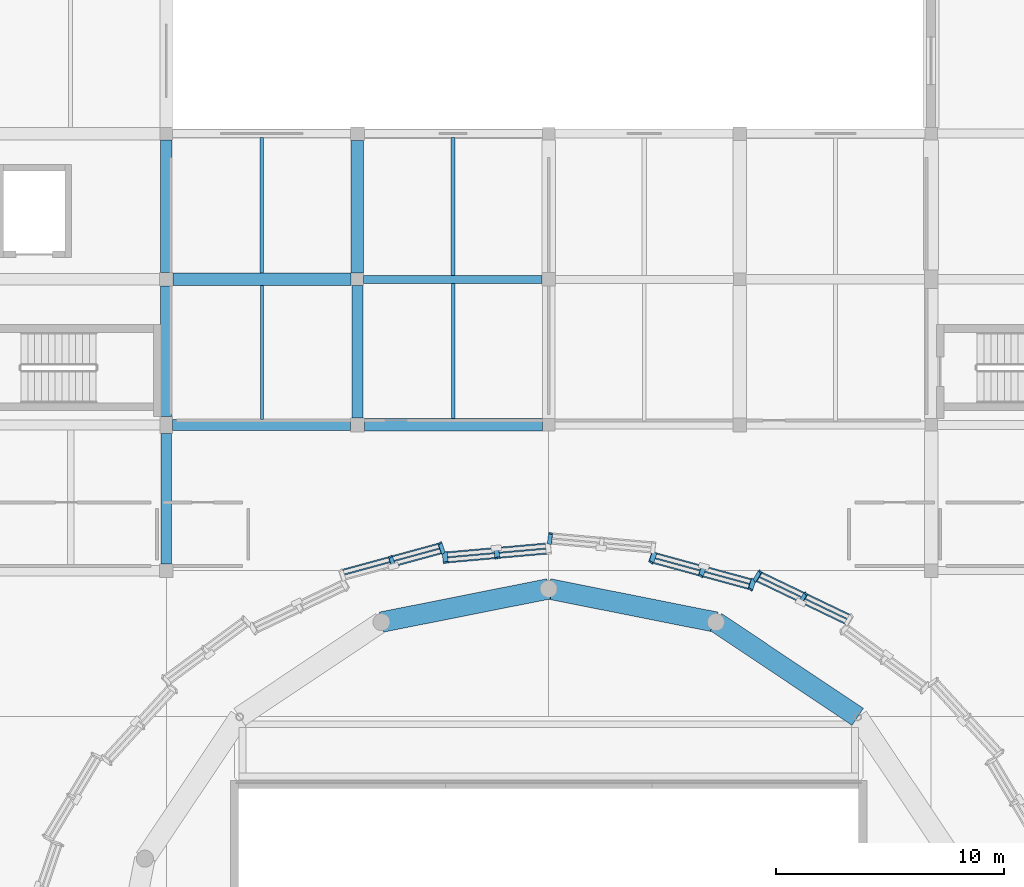
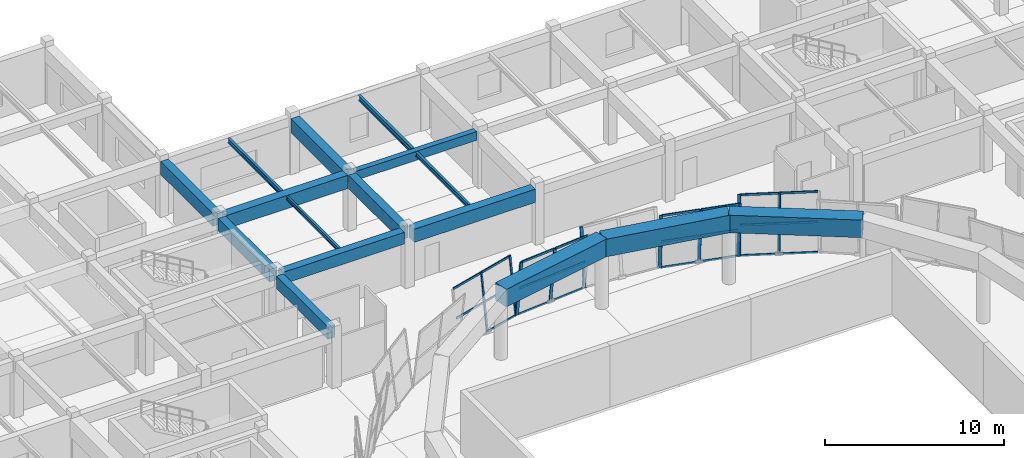
# One storey, part 16 of 40: 33 members, 16 beams, 5 elements without a shape of their own.
"""IFC4 building model written with IfcOpenShell, lengths in metres."""

from ifc_helpers import new_model, si_unit, direction, frame, origin, origin_2d, place, context, subcontext, project, spatial, rectangle, hollow_rectangle, i_section, extrude, material, material_profile, profile_set, type_object, element, aggregate, save


model = new_model("IFC4")

# Units and contexts
model_context = context("Model", 3, precision=1e-05, world=origin(), true_north=direction((0.0, 1.0)))
body_context = subcontext(model_context, "Body", "Model", "MODEL_VIEW")
ifc_project = project(units=[si_unit("LENGTHUNIT", "METRE"), si_unit("AREAUNIT", "SQUARE_METRE"), si_unit("VOLUMEUNIT", "CUBIC_METRE"), si_unit("PLANEANGLEUNIT", "RADIAN"), si_unit("MASSUNIT", "GRAM", prefix="KILO")], contexts=[model_context])

# Site, building, storey
site_placement = place(None, origin())
site = spatial("IfcSite", under=ifc_project, at=site_placement, CompositionType="ELEMENT")
building_placement = place(site_placement, origin())
building = spatial("IfcBuilding", under=site, at=building_placement, Name="Korsvaeld Concert Hall", CompositionType="ELEMENT")
storey_placement = place(building_placement, frame((0.0, 0.0, 13.199951171875)))
storey = spatial("IfcBuildingStorey", under=building, at=storey_placement, Name="L03", CompositionType="ELEMENT", Elevation=13.199951171875)

# Beams
ifc_material_1 = material(Name="Concrete C35/45", Category="concrete")
ifc_material_profile_1 = material_profile(ifc_material_1, rectangle(XDim=0.35009765625, YDim=0.60009765625, at=origin_2d()), Name="RC 350x600")
ifc_profile_set_1 = profile_set([ifc_material_profile_1], Name="Concrete C35/45")
beam_type_1 = type_object("IfcBeamType", Name="BM-RC-350x600", PredefinedType="T_BEAM", material=ifc_profile_set_1)
beam_1_placement = place(storey_placement, frame((75.875, 96.0, 3.5400390625), z_axis=(1.0, 0.0, 0.0), x_axis=(0.0, 1.0, 0.0)))
element("IfcBeam", 1, at=beam_1_placement, inside=storey, type_object=beam_type_1, Name="Primary girder 11-12/P L03", PredefinedType="T_BEAM", context=body_context, shape_type="SweptSolid", body=[
    extrude(rectangle(XDim=0.35009765625, YDim=0.60009765625, at=origin_2d()), origin(), (0.0, 0.0, 1.0), 7.824951171875),
])
ifc_material_2 = material(Name="Concrete C40/50", Category="concrete")
ifc_material_profile_2 = material_profile(ifc_material_2, rectangle(XDim=0.449951171875, YDim=0.85009765625, at=origin_2d()), Name="RC 450x850")
ifc_profile_set_2 = profile_set([ifc_material_profile_2], Name="Concrete C40/50")
beam_type_2 = type_object("IfcBeamType", Name="BM-RC-450x850", PredefinedType="T_BEAM", material=ifc_profile_set_2)
beam_2_placement = place(storey_placement, frame((67.199951171875, 83.5, 3.4150390625), z_axis=(0.0, 1.0, 0.0), x_axis=(-1.0, 0.0, 0.0)))
element("IfcBeam", 2, at=beam_2_placement, inside=storey, type_object=beam_type_2, Name="Primary girder 10/M-N L03", PredefinedType="T_BEAM", context=body_context, shape_type="SweptSolid", body=[
    extrude(rectangle(XDim=0.449951171875, YDim=0.85009765625, at=origin_2d()), origin(), (0.0, 0.0, 1.0), 5.72509765625),
])
ifc_material_profile_3 = material_profile(ifc_material_2, rectangle(XDim=0.5, YDim=0.800048828125, at=origin_2d()), Name="RC 500x800")
ifc_profile_set_3 = profile_set([ifc_material_profile_3], Name="Concrete C40/50")
beam_type_3 = type_object("IfcBeamType", Name="BM-RC-500x800", PredefinedType="T_BEAM", material=ifc_profile_set_3)
beam_3_placement = place(storey_placement, frame((67.47509765625, 89.60009765625, 3.43994140625), z_axis=(1.0, 0.0, 0.0), x_axis=(0.0, 1.0, 0.0)))
element("IfcBeam", 3, at=beam_3_placement, inside=storey, type_object=beam_type_3, Name="Primary girder 10-11/N L03", PredefinedType="T_BEAM", context=body_context, shape_type="SweptSolid", body=[
    extrude(rectangle(XDim=0.5, YDim=0.800048828125, at=origin_2d()), origin(), (0.0, 0.0, 1.0), 7.824951171875),
])
ifc_material_profile_4 = material_profile(ifc_material_2, rectangle(XDim=0.5, YDim=0.85009765625, at=origin_2d()), Name="RC 500x850")
ifc_profile_set_4 = profile_set([ifc_material_profile_4], Name="Concrete C40/50")
beam_type_4 = type_object("IfcBeamType", Name="BM-RC-500x850", PredefinedType="T_BEAM", material=ifc_profile_set_4)
beam_4_placement = place(storey_placement, frame((67.199951171875, 89.97509765625, 3.4150390625), z_axis=(0.0, 1.0, 0.0), x_axis=(-1.0, 0.0, 0.0)))
element("IfcBeam", 4, at=beam_4_placement, inside=storey, type_object=beam_type_4, Name="Primary girder 10/N-P L03", PredefinedType="T_BEAM", context=body_context, shape_type="SweptSolid", body=[
    extrude(rectangle(XDim=0.5, YDim=0.85009765625, at=origin_2d()), origin(), (0.0, 0.0, 1.0), 5.724853515625),
])
ifc_material_profile_5 = material_profile(ifc_material_2, rectangle(XDim=0.5, YDim=0.89990234375, at=origin_2d()), Name="RC 500x900")
ifc_profile_set_5 = profile_set([ifc_material_profile_5], Name="Concrete C40/50")
beam_type_5 = type_object("IfcBeamType", Name="BM-RC-500x900", PredefinedType="T_BEAM", material=ifc_profile_set_5)
beam_5_placement = place(storey_placement, frame((67.199951171875, 96.300048828125, 3.39013671875), z_axis=(0.0, 1.0, 0.0), x_axis=(-1.0, 0.0, 0.0)))
element("IfcBeam", 5, at=beam_5_placement, inside=storey, type_object=beam_type_5, Name="Primary girder 10/P-Q L03", PredefinedType="T_BEAM", context=body_context, shape_type="SweptSolid", body=[
    extrude(rectangle(XDim=0.5, YDim=0.89990234375, at=origin_2d()), origin(), (0.0, 0.0, 1.0), 5.824951171875),
])
beam_6_placement = place(storey_placement, frame((75.60009765625, 89.89990234375, 3.39013671875), z_axis=(0.0, 1.0, 0.0), x_axis=(-1.0, 0.0, 0.0)))
element("IfcBeam", 6, at=beam_6_placement, inside=storey, type_object=beam_type_5, Name="Primary girder 11/N-P L03", PredefinedType="T_BEAM", context=body_context, shape_type="SweptSolid", body=[
    extrude(rectangle(XDim=0.5, YDim=0.89990234375, at=origin_2d()), origin(), (0.0, 0.0, 1.0), 5.8251953125),
])
ifc_material_profile_6 = material_profile(ifc_material_2, rectangle(XDim=0.550048828125, YDim=0.89990234375, at=origin_2d()), Name="RC 550x900")
ifc_profile_set_6 = profile_set([ifc_material_profile_6], Name="Concrete C40/50")
beam_type_6 = type_object("IfcBeamType", Name="BM-RC-550x900", PredefinedType="T_BEAM", material=ifc_profile_set_6)
beam_7_placement = place(storey_placement, frame((75.89990234375, 89.60009765625, 3.39013671875), z_axis=(1.0, 0.0, 0.0), x_axis=(0.0, 1.0, 0.0)))
element("IfcBeam", 7, at=beam_7_placement, inside=storey, type_object=beam_type_6, Name="Primary girder 11-12/N L03", PredefinedType="T_BEAM", context=body_context, shape_type="SweptSolid", body=[
    extrude(rectangle(XDim=0.550048828125, YDim=0.89990234375, at=origin_2d()), origin(), (0.0, 0.0, 1.0), 7.8251953125),
])
beam_8_placement = place(storey_placement, frame((67.5, 96.0, 3.39013671875), z_axis=(1.0, 0.0, 0.0), x_axis=(0.0, 1.0, 0.0)))
element("IfcBeam", 8, at=beam_8_placement, inside=storey, type_object=beam_type_6, Name="Primary girder 10-11/P L03", PredefinedType="T_BEAM", context=body_context, shape_type="SweptSolid", body=[
    extrude(rectangle(XDim=0.550048828125, YDim=0.89990234375, at=origin_2d()), origin(), (0.0, 0.0, 1.0), 7.824951171875),
])
ifc_material_profile_7 = material_profile(ifc_material_2, rectangle(XDim=0.550048828125, YDim=0.949951171875, at=origin_2d()), Name="RC 550x950")
ifc_profile_set_7 = profile_set([ifc_material_profile_7], Name="Concrete C40/50")
beam_type_7 = type_object("IfcBeamType", Name="BM-RC-550x950", PredefinedType="T_BEAM", material=ifc_profile_set_7)
beam_9_placement = place(storey_placement, frame((75.60009765625, 96.27490234375, 3.364990234375), z_axis=(0.0, 1.0, 0.0), x_axis=(-1.0, 0.0, 0.0)))
element("IfcBeam", 9, at=beam_9_placement, inside=storey, type_object=beam_type_7, Name="Primary girder 11/P-Q L03", PredefinedType="T_BEAM", context=body_context, shape_type="SweptSolid", body=[
    extrude(rectangle(XDim=0.550048828125, YDim=0.949951171875, at=origin_2d()), origin(), (0.0, 0.0, 1.0), 5.8251953125),
])
ifc_material_profile_8 = material_profile(ifc_material_2, rectangle(XDim=0.89990234375, YDim=1.199951171875, at=origin_2d()), Name="RC 900x1200")
ifc_profile_set_8 = profile_set([ifc_material_profile_8], Name="Concrete C40/50")
beam_type_8 = type_object("IfcBeamType", Name="BM-RING-RC900x1200", PredefinedType="USERDEFINED", material=ifc_profile_set_8)
for number, where, z_axis, x_axis, name in (
    (10, (97.576416015625, 76.776611328125, 4.199951171875), (-0.831483307961, 0.555549735471, 0.0), (-0.555549735471, -0.831483307961, 0.0), "Main Hall C40/50 drum ring beam segment 03"),
    (11, (91.347412109375, 80.9384765625, 4.199951171875), (-0.980786949659, 0.195081929911, 0.0), (-0.195081929911, -0.980786949659, 0.0), "Main Hall C40/50 drum ring beam segment 04"),
    (12, (84.0, 82.39990234375, 4.199951171875), (-0.980786949659, -0.195081929911, 0.0), (0.195081929911, -0.980786949659, 0.0), "Main Hall C40/50 drum ring beam segment 05"),
):
    element("IfcBeam", number, at=place(storey_placement, frame(where, z_axis=z_axis, x_axis=x_axis)), inside=storey, type_object=beam_type_8, Name=name, ObjectType="RING BEAM", PredefinedType="USERDEFINED", context=body_context, shape_type="SweptSolid", body=[
        extrude(rectangle(XDim=0.89990234375, YDim=1.199951171875, at=origin_2d()), origin(), (0.0, 0.0, 1.0), 7.491455078125),
    ])
ifc_material_3 = material(Name="Steel S355J2", Category="steel")
ifc_material_profile_9 = material_profile(ifc_material_3, i_section(OverallWidth=0.135009765625, OverallDepth=0.27001953125, WebThickness=0.006591796875, FlangeThickness=0.01025390625, FilletRadius=0.014892578125, at=origin_2d()), Name="IPE 270")
ifc_profile_set_9 = profile_set([ifc_material_profile_9], Name="Steel S355J2")
beam_type_9 = type_object("IfcBeamType", Name="BM-STL-IPE270", PredefinedType="JOIST", material=ifc_profile_set_9)
beam_10_placement = place(storey_placement, frame((71.39990234375, 89.85009765625, 3.705078125), z_axis=(0.0, 1.0, 0.0), x_axis=(-1.0, 0.0, 0.0)))
element("IfcBeam", 13, at=beam_10_placement, inside=storey, type_object=beam_type_9, Name="Secondary steel floor beam 10-11/N L03", PredefinedType="JOIST", context=body_context, shape_type="SweptSolid", body=[
    extrude(i_section(OverallWidth=0.135009765625, OverallDepth=0.27001953125, WebThickness=0.006591796875, FlangeThickness=0.01025390625, FilletRadius=0.014892578125, at=origin_2d()), origin(), (0.0, 0.0, 1.0), 5.875),
])
ifc_material_profile_10 = material_profile(ifc_material_3, i_section(OverallWidth=0.14990234375, OverallDepth=0.300048828125, WebThickness=0.007080078125, FlangeThickness=0.0107421875, FilletRadius=0.014892578125, at=origin_2d()), Name="IPE 300")
ifc_profile_set_10 = profile_set([ifc_material_profile_10], Name="Steel S355J2")
beam_type_10 = type_object("IfcBeamType", Name="BM-STL-IPE300", PredefinedType="JOIST", material=ifc_profile_set_10)
beam_11_placement = place(storey_placement, frame((79.800048828125, 89.875, 3.68994140625), z_axis=(0.0, 1.0, 0.0), x_axis=(-1.0, 0.0, 0.0)))
element("IfcBeam", 14, at=beam_11_placement, inside=storey, type_object=beam_type_10, Name="Secondary steel floor beam 11-12/N L03", PredefinedType="JOIST", context=body_context, shape_type="SweptSolid", body=[
    extrude(i_section(OverallWidth=0.14990234375, OverallDepth=0.300048828125, WebThickness=0.007080078125, FlangeThickness=0.0107421875, FilletRadius=0.014892578125, at=origin_2d()), origin(), (0.0, 0.0, 1.0), 5.949951171875),
])
ifc_material_profile_11 = material_profile(ifc_material_3, i_section(OverallWidth=0.159912109375, OverallDepth=0.330078125, WebThickness=0.007568359375, FlangeThickness=0.011474609375, FilletRadius=0.01806640625, at=origin_2d()), Name="IPE 330")
ifc_profile_set_11 = profile_set([ifc_material_profile_11], Name="Steel S355J2")
beam_type_11 = type_object("IfcBeamType", Name="BM-STL-IPE330", PredefinedType="BEAM", material=ifc_profile_set_11)
beam_12_placement = place(storey_placement, frame((71.39990234375, 96.27490234375, 3.675048828125), z_axis=(0.0, 1.0, 0.0), x_axis=(-1.0, 0.0, 0.0)))
element("IfcBeam", 15, at=beam_12_placement, inside=storey, type_object=beam_type_11, Name="Secondary steel floor beam 10-11/P L03", PredefinedType="BEAM", context=body_context, shape_type="SweptSolid", body=[
    extrude(i_section(OverallWidth=0.159912109375, OverallDepth=0.330078125, WebThickness=0.007568359375, FlangeThickness=0.011474609375, FilletRadius=0.01806640625, at=origin_2d()), origin(), (0.0, 0.0, 1.0), 5.9501953125),
])
ifc_material_profile_12 = material_profile(ifc_material_3, i_section(OverallWidth=0.169921875, OverallDepth=0.360107421875, WebThickness=0.008056640625, FlangeThickness=0.0126953125, FilletRadius=0.01806640625, at=origin_2d()), Name="IPE 360")
ifc_profile_set_12 = profile_set([ifc_material_profile_12], Name="Steel S355J2")
beam_type_12 = type_object("IfcBeamType", Name="BM-STL-IPE360", PredefinedType="BEAM", material=ifc_profile_set_12)
beam_13_placement = place(storey_placement, frame((79.800048828125, 96.175048828125, 3.66015625), z_axis=(0.0, 1.0, 0.0), x_axis=(-1.0, 0.0, 0.0)))
element("IfcBeam", 16, at=beam_13_placement, inside=storey, type_object=beam_type_12, Name="Secondary steel floor beam 11-12/P L03", PredefinedType="BEAM", context=body_context, shape_type="SweptSolid", body=[
    extrude(i_section(OverallWidth=0.169921875, OverallDepth=0.360107421875, WebThickness=0.008056640625, FlangeThickness=0.0126953125, FilletRadius=0.01806640625, at=origin_2d()), origin(), (0.0, 0.0, 1.0), 6.050048828125),
])

# Curtain wall, members
ifc_material_4 = material(Name="Anodised bronze and ceramic-fritted safety glass", Category="glass")
curtain_wall_type_1 = type_object("IfcCurtainWallType", Name="CW-TYPE-06", PredefinedType="USERDEFINED", material=ifc_material_4)
curtain_wall_1_placement = place(storey_placement, origin())
curtain_wall_1 = element("IfcCurtainWall", 17, at=curtain_wall_1_placement, inside=storey, type_object=curtain_wall_type_1, Name="Crystal curtain-wall facet L03 F06", ObjectType="CURTAIN WALL", PredefinedType="USERDEFINED")
ifc_material_5 = material(Name="Anodised architectural bronze aluminium", Category="aluminium")
ifc_material_profile_13 = material_profile(ifc_material_5, hollow_rectangle(XDim=0.074951171875, YDim=0.179931640625, WallThickness=0.0048828125, at=origin_2d()), Name="CWM 180x75x5")
ifc_profile_set_13 = profile_set([ifc_material_profile_13], Name="Anodised architectural bronze aluminium")
member_type_1 = type_object("IfcMemberType", Name="CWM-BRONZE-180x75", PredefinedType="MULLION", material=ifc_profile_set_13)
member_1_placement = place(storey_placement, frame((95.0712890625, 81.806640625, 0.0), z_axis=(0.057890146021, 0.097275450549, 0.993572452172), x_axis=(0.829999508119, 0.548349795161, -0.102045669527)))
member_1 = element("IfcMember", 18, at=member_1_placement, type_object=member_type_1, Name="CW-CRYS-L03-F06 crystal mullion 2", PredefinedType="MULLION", context=body_context, shape_type="SweptSolid", body=[
    extrude(hollow_rectangle(XDim=0.074951171875, YDim=0.179931640625, WallThickness=0.0048828125, at=origin_2d()), origin(), (0.0, 0.0, 1.0), 3.9052734375),
])
member_2_placement = place(storey_placement, frame((93.065185546875, 82.77001953125, 0.0), z_axis=(0.057890146021, 0.097275450549, 0.993572452172), x_axis=(0.829999508119, 0.548349795161, -0.102045669527)))
member_2 = element("IfcMember", 19, at=member_2_placement, type_object=member_type_1, Name="CW-CRYS-L03-F06 crystal mullion 3", PredefinedType="MULLION", context=body_context, shape_type="SweptSolid", body=[
    extrude(hollow_rectangle(XDim=0.074951171875, YDim=0.179931640625, WallThickness=0.0048828125, at=origin_2d()), origin(), (0.0, 0.0, 1.0), 3.9052734375),
])

# Curtain wall, member
curtain_wall_type_2 = type_object("IfcCurtainWallType", Name="CW-TYPE-08", PredefinedType="USERDEFINED", material=ifc_material_4)
curtain_wall_2_placement = place(storey_placement, origin())
curtain_wall_2 = element("IfcCurtainWall", 20, at=curtain_wall_2_placement, inside=storey, type_object=curtain_wall_type_2, Name="Crystal curtain-wall facet L03 F08", ObjectType="CURTAIN WALL", PredefinedType="USERDEFINED")
member_3_placement = place(storey_placement, frame((84.037353515625, 84.396728515625, 0.0), z_axis=(0.012315717468, 0.112529398189, 0.993572069679), x_axis=(0.195293528918, 0.974240961692, -0.112760747263)))
member_3 = element("IfcMember", 21, at=member_3_placement, type_object=member_type_1, Name="CW-CRYS-L03-F08 crystal mullion 3", PredefinedType="MULLION", context=body_context, shape_type="SweptSolid", body=[
    extrude(hollow_rectangle(XDim=0.074951171875, YDim=0.179931640625, WallThickness=0.0048828125, at=origin_2d()), origin(), (0.0, 0.0, 1.0), 3.9052734375),
])
aggregate(curtain_wall_2, [member_3])

# Curtain wall, members
curtain_wall_type_3 = type_object("IfcCurtainWallType", Name="CW-TYPE-02", PredefinedType="USERDEFINED", material=ifc_material_4)
curtain_wall_3_placement = place(storey_placement, origin())
curtain_wall_3 = element("IfcCurtainWall", 22, at=curtain_wall_3_placement, inside=storey, type_object=curtain_wall_type_3, Name="Crystal curtain-wall facet L03 F10", ObjectType="CURTAIN WALL", PredefinedType="USERDEFINED")
member_4_placement = place(storey_placement, frame((79.359619140625, 83.982666015625, 0.0), z_axis=(-0.036196879459, 0.10727779819, 0.993569957242), x_axis=(-0.555586354062, 0.824251855726, -0.109236813907)))
member_4 = element("IfcMember", 23, at=member_4_placement, type_object=member_type_1, Name="CW-CRYS-L03-F10 crystal mullion 1", PredefinedType="MULLION", context=body_context, shape_type="SweptSolid", body=[
    extrude(hollow_rectangle(XDim=0.074951171875, YDim=0.179931640625, WallThickness=0.0048828125, at=origin_2d()), origin(), (0.0, 0.0, 1.0), 3.9052734375),
])
member_5_placement = place(storey_placement, frame((77.182373046875, 83.389404296875, 0.0), z_axis=(-0.036259313537, 0.107277555223, 0.993567706967), x_axis=(-0.556016744677, 0.823959061851, -0.109255864975)))
member_5 = element("IfcMember", 24, at=member_5_placement, type_object=member_type_1, Name="CW-CRYS-L03-F10 crystal mullion 2", PredefinedType="MULLION", context=body_context, shape_type="SweptSolid", body=[
    extrude(hollow_rectangle(XDim=0.074951171875, YDim=0.179931640625, WallThickness=0.0048828125, at=origin_2d()), origin(), (0.0, 0.0, 1.0), 3.9052734375),
])

curtain_wall_type_4 = type_object("IfcCurtainWallType", Name="CW-TYPE-07", PredefinedType="USERDEFINED", material=ifc_material_4)
curtain_wall_4_placement = place(storey_placement, origin())
curtain_wall_4 = element("IfcCurtainWall", 25, at=curtain_wall_4_placement, inside=storey, type_object=curtain_wall_type_4, Name="Crystal curtain-wall facet L03 F07", ObjectType="CURTAIN WALL", PredefinedType="USERDEFINED")
ifc_material_profile_14 = material_profile(ifc_material_5, hollow_rectangle(XDim=0.074951171875, YDim=0.219970703125, WallThickness=0.006103515625, at=origin_2d()), Name="CWM 220x75x6")
ifc_profile_set_14 = profile_set([ifc_material_profile_14], Name="Anodised architectural bronze aluminium")
member_type_2 = type_object("IfcMemberType", Name="CWM-BRONZE-220x75", PredefinedType="MULLION", material=ifc_profile_set_14)
member_6_placement = place(storey_placement, frame((92.9951171875, 82.796142578125, 0.0), z_axis=(-0.036196879459, -0.10727779819, 0.993569957242), x_axis=(-0.555586354062, -0.824251855726, -0.109236813907)))
member_6 = element("IfcMember", 26, at=member_6_placement, type_object=member_type_2, Name="CW-CRYS-L03-F07 crystal mullion 1", PredefinedType="MULLION", context=body_context, shape_type="SweptSolid", body=[
    extrude(hollow_rectangle(XDim=0.074951171875, YDim=0.219970703125, WallThickness=0.006103515625, at=origin_2d()), origin(), (0.0, 0.0, 1.0), 3.9052734375),
])
member_7_placement = place(storey_placement, frame((90.817626953125, 83.389404296875, 0.0), z_axis=(-0.036196879459, -0.10727779819, 0.993569957242), x_axis=(-0.555586354062, -0.824251855726, -0.109236813907)))
member_7 = element("IfcMember", 27, at=member_7_placement, type_object=member_type_2, Name="CW-CRYS-L03-F07 crystal mullion 2", PredefinedType="MULLION", context=body_context, shape_type="SweptSolid", body=[
    extrude(hollow_rectangle(XDim=0.074951171875, YDim=0.219970703125, WallThickness=0.006103515625, at=origin_2d()), origin(), (0.0, 0.0, 1.0), 3.9052734375),
])
member_8_placement = place(storey_placement, frame((88.640380859375, 83.982666015625, 0.0), z_axis=(-0.036259556644, -0.107215758008, 0.993574368523), x_axis=(-0.556164524447, -0.823866797591, -0.109199457752)))
member_8 = element("IfcMember", 28, at=member_8_placement, type_object=member_type_2, Name="CW-CRYS-L03-F07 crystal mullion 3", PredefinedType="MULLION", context=body_context, shape_type="SweptSolid", body=[
    extrude(hollow_rectangle(XDim=0.074951171875, YDim=0.219970703125, WallThickness=0.006103515625, at=origin_2d()), origin(), (0.0, 0.0, 1.0), 3.9052734375),
])

curtain_wall_type_5 = type_object("IfcCurtainWallType", Name="CW-TYPE-01", PredefinedType="USERDEFINED", material=ifc_material_4)
curtain_wall_5_placement = place(storey_placement, origin())
curtain_wall_5 = element("IfcCurtainWall", 29, at=curtain_wall_5_placement, inside=storey, type_object=curtain_wall_type_5, Name="Crystal curtain-wall facet L03 F09", ObjectType="CURTAIN WALL", PredefinedType="USERDEFINED")
member_9_placement = place(storey_placement, frame((81.697998046875, 84.1962890625, 0.0), z_axis=(0.012315717468, -0.112529398189, 0.993572069679), x_axis=(0.195293528918, -0.974240961692, -0.112760747263)))
member_9 = element("IfcMember", 30, at=member_9_placement, type_object=member_type_2, Name="CW-CRYS-L03-F09 crystal mullion 2", PredefinedType="MULLION", context=body_context, shape_type="SweptSolid", body=[
    extrude(hollow_rectangle(XDim=0.074951171875, YDim=0.219970703125, WallThickness=0.006103515625, at=origin_2d()), origin(), (0.0, 0.0, 1.0), 3.9052734375),
])
member_10_placement = place(storey_placement, frame((79.433349609375, 83.995849609375, 0.0), z_axis=(0.012315717468, -0.112529398189, 0.993572069679), x_axis=(0.195293528918, -0.974240961692, -0.112760747263)))
member_10 = element("IfcMember", 31, at=member_10_placement, type_object=member_type_2, Name="CW-CRYS-L03-F09 crystal mullion 3", PredefinedType="MULLION", context=body_context, shape_type="SweptSolid", body=[
    extrude(hollow_rectangle(XDim=0.074951171875, YDim=0.219970703125, WallThickness=0.006103515625, at=origin_2d()), origin(), (0.0, 0.0, 1.0), 3.9052734375),
])

# Member
ifc_material_profile_15 = material_profile(ifc_material_5, hollow_rectangle(XDim=0.06005859375, YDim=0.139892578125, WallThickness=0.00390625, at=origin_2d()), Name="CWT 140x60x4")
ifc_profile_set_15 = profile_set([ifc_material_profile_15], Name="Anodised architectural bronze aluminium")
member_type_3 = type_object("IfcMemberType", Name="CWT-BRONZE-140x60", PredefinedType="USERDEFINED", material=ifc_profile_set_15)
member_11_placement = place(storey_placement, frame((97.045654296875, 80.862548828125, 0.030029296875), z_axis=(-0.901464591462, 0.432852850679, 0.0), x_axis=(-0.432852850679, -0.901464591462, 0.0)))
member_11 = element("IfcMember", 32, at=member_11_placement, type_object=member_type_3, Name="CW-CRYS-L03-F06 crystal transom 1.1", ObjectType="TRANSOM", PredefinedType="USERDEFINED", context=body_context, shape_type="SweptSolid", body=[
    extrude(hollow_rectangle(XDim=0.06005859375, YDim=0.139892578125, WallThickness=0.00390625, at=origin_2d()), origin(), (0.0, 0.0, 1.0), 2.150634765625),
])

member_12_placement = place(storey_placement, frame((97.156982421875, 81.049560546875, 1.93994140625), z_axis=(-0.901464591462, 0.432852850679, 0.0), x_axis=(-0.432852850679, -0.901464591462, 0.0)))
member_12 = element("IfcMember", 33, at=member_12_placement, type_object=member_type_3, Name="CW-CRYS-L03-F06 crystal transom 1.2", ObjectType="TRANSOM", PredefinedType="USERDEFINED", context=body_context, shape_type="SweptSolid", body=[
    extrude(hollow_rectangle(XDim=0.06005859375, YDim=0.139892578125, WallThickness=0.00390625, at=origin_2d()), origin(), (0.0, 0.0, 1.0), 2.150634765625),
])

member_13_placement = place(storey_placement, frame((97.268310546875, 81.236572265625, 3.85009765625), z_axis=(-0.901464591462, 0.432852850679, 0.0), x_axis=(-0.432852850679, -0.901464591462, 0.0)))
member_13 = element("IfcMember", 34, at=member_13_placement, type_object=member_type_3, Name="CW-CRYS-L03-F06 crystal transom 1.3", ObjectType="TRANSOM", PredefinedType="USERDEFINED", context=body_context, shape_type="SweptSolid", body=[
    extrude(hollow_rectangle(XDim=0.06005859375, YDim=0.139892578125, WallThickness=0.00390625, at=origin_2d()), origin(), (0.0, 0.0, 1.0), 2.150634765625),
])

member_14_placement = place(storey_placement, frame((95.039306640625, 81.825927734375, 0.030029296875), z_axis=(-0.901508884705, 0.432760592935, 0.0), x_axis=(-0.432760592935, -0.901508884705, 0.0)))
member_14 = element("IfcMember", 35, at=member_14_placement, type_object=member_type_3, Name="CW-CRYS-L03-F06 crystal transom 2.1", ObjectType="TRANSOM", PredefinedType="USERDEFINED", context=body_context, shape_type="SweptSolid", body=[
    extrude(hollow_rectangle(XDim=0.06005859375, YDim=0.139892578125, WallThickness=0.00390625, at=origin_2d()), origin(), (0.0, 0.0, 1.0), 2.150634765625),
])

member_15_placement = place(storey_placement, frame((95.150634765625, 82.012939453125, 1.93994140625), z_axis=(-0.901508884705, 0.432760592935, 0.0), x_axis=(-0.432760592935, -0.901508884705, 0.0)))
member_15 = element("IfcMember", 36, at=member_15_placement, type_object=member_type_3, Name="CW-CRYS-L03-F06 crystal transom 2.2", ObjectType="TRANSOM", PredefinedType="USERDEFINED", context=body_context, shape_type="SweptSolid", body=[
    extrude(hollow_rectangle(XDim=0.06005859375, YDim=0.139892578125, WallThickness=0.00390625, at=origin_2d()), origin(), (0.0, 0.0, 1.0), 2.150634765625),
])

member_16_placement = place(storey_placement, frame((95.261962890625, 82.199951171875, 3.85009765625), z_axis=(-0.901508884705, 0.432760592935, 0.0), x_axis=(-0.432760592935, -0.901508884705, 0.0)))
member_16 = element("IfcMember", 37, at=member_16_placement, type_object=member_type_3, Name="CW-CRYS-L03-F06 crystal transom 2.3", ObjectType="TRANSOM", PredefinedType="USERDEFINED", context=body_context, shape_type="SweptSolid", body=[
    extrude(hollow_rectangle(XDim=0.06005859375, YDim=0.139892578125, WallThickness=0.00390625, at=origin_2d()), origin(), (0.0, 0.0, 1.0), 2.150634765625),
])

aggregate(curtain_wall_1, [member_1, member_2, member_11, member_12, member_13, member_14, member_15, member_16])

member_17_placement = place(storey_placement, frame((92.957763671875, 82.802734375, 0.030029296875), z_axis=(-0.964833511963, 0.262861739689, 0.0), x_axis=(-0.262861739689, -0.964833511963, 0.0)))
member_17 = element("IfcMember", 38, at=member_17_placement, type_object=member_type_3, Name="CW-CRYS-L03-F07 crystal transom 1.1", ObjectType="TRANSOM", PredefinedType="USERDEFINED", context=body_context, shape_type="SweptSolid", body=[
    extrude(hollow_rectangle(XDim=0.06005859375, YDim=0.139892578125, WallThickness=0.00390625, at=origin_2d()), origin(), (0.0, 0.0, 1.0), 2.181640625),
])

member_18_placement = place(storey_placement, frame((92.88818359375, 82.596435546875, 1.93994140625), z_axis=(-0.964805126409, 0.262965906641, 0.0), x_axis=(-0.262965906641, -0.964805126409, 0.0)))
member_18 = element("IfcMember", 39, at=member_18_placement, type_object=member_type_3, Name="CW-CRYS-L03-F07 crystal transom 1.2", ObjectType="TRANSOM", PredefinedType="USERDEFINED", context=body_context, shape_type="SweptSolid", body=[
    extrude(hollow_rectangle(XDim=0.06005859375, YDim=0.139892578125, WallThickness=0.00390625, at=origin_2d()), origin(), (0.0, 0.0, 1.0), 2.181884765625),
])

member_19_placement = place(storey_placement, frame((92.818603515625, 82.390380859375, 3.85009765625), z_axis=(-0.964833511963, 0.262861739689, 0.0), x_axis=(-0.262861739689, -0.964833511963, 0.0)))
member_19 = element("IfcMember", 40, at=member_19_placement, type_object=member_type_3, Name="CW-CRYS-L03-F07 crystal transom 1.3", ObjectType="TRANSOM", PredefinedType="USERDEFINED", context=body_context, shape_type="SweptSolid", body=[
    extrude(hollow_rectangle(XDim=0.06005859375, YDim=0.139892578125, WallThickness=0.00390625, at=origin_2d()), origin(), (0.0, 0.0, 1.0), 2.181640625),
])

member_20_placement = place(storey_placement, frame((90.780517578125, 83.39599609375, 0.030029296875), z_axis=(-0.964812863187, 0.26293751925, 0.0), x_axis=(-0.26293751925, -0.964812863187, 0.0)))
member_20 = element("IfcMember", 41, at=member_20_placement, type_object=member_type_3, Name="CW-CRYS-L03-F07 crystal transom 2.1", ObjectType="TRANSOM", PredefinedType="USERDEFINED", context=body_context, shape_type="SweptSolid", body=[
    extrude(hollow_rectangle(XDim=0.06005859375, YDim=0.139892578125, WallThickness=0.00390625, at=origin_2d()), origin(), (0.0, 0.0, 1.0), 2.181884765625),
])

member_21_placement = place(storey_placement, frame((90.710693359375, 83.18994140625, 1.93994140625), z_axis=(-0.964833511963, 0.262861739689, 0.0), x_axis=(-0.262861739689, -0.964833511963, 0.0)))
member_21 = element("IfcMember", 42, at=member_21_placement, type_object=member_type_3, Name="CW-CRYS-L03-F07 crystal transom 2.2", ObjectType="TRANSOM", PredefinedType="USERDEFINED", context=body_context, shape_type="SweptSolid", body=[
    extrude(hollow_rectangle(XDim=0.06005859375, YDim=0.139892578125, WallThickness=0.00390625, at=origin_2d()), origin(), (0.0, 0.0, 1.0), 2.181640625),
])

member_22_placement = place(storey_placement, frame((90.64111328125, 82.983642578125, 3.85009765625), z_axis=(-0.964805126409, 0.262965906641, 0.0), x_axis=(-0.262965906641, -0.964805126409, 0.0)))
member_22 = element("IfcMember", 43, at=member_22_placement, type_object=member_type_3, Name="CW-CRYS-L03-F07 crystal transom 2.3", ObjectType="TRANSOM", PredefinedType="USERDEFINED", context=body_context, shape_type="SweptSolid", body=[
    extrude(hollow_rectangle(XDim=0.06005859375, YDim=0.139892578125, WallThickness=0.00390625, at=origin_2d()), origin(), (0.0, 0.0, 1.0), 2.181884765625),
])

aggregate(curtain_wall_4, [member_6, member_7, member_8, member_17, member_18, member_19, member_20, member_21, member_22])

member_23_placement = place(storey_placement, frame((83.92578125, 84.389892578125, 0.030029296875), z_axis=(-0.996115826652, -0.088052597317, 0.0), x_axis=(0.088052597317, -0.996115826652, 0.0)))
member_23 = element("IfcMember", 44, at=member_23_placement, type_object=member_type_3, Name="CW-CRYS-L03-F09 crystal transom 1.1", ObjectType="TRANSOM", PredefinedType="USERDEFINED", context=body_context, shape_type="SweptSolid", body=[
    extrude(hollow_rectangle(XDim=0.06005859375, YDim=0.139892578125, WallThickness=0.00390625, at=origin_2d()), origin(), (0.0, 0.0, 1.0), 2.19873046875),
])

member_24_placement = place(storey_placement, frame((83.949462890625, 84.173583984375, 1.93994140625), z_axis=(-0.996115826652, -0.088052597317, 0.0), x_axis=(0.088052597317, -0.996115826652, 0.0)))
member_24 = element("IfcMember", 45, at=member_24_placement, type_object=member_type_3, Name="CW-CRYS-L03-F09 crystal transom 1.2", ObjectType="TRANSOM", PredefinedType="USERDEFINED", context=body_context, shape_type="SweptSolid", body=[
    extrude(hollow_rectangle(XDim=0.06005859375, YDim=0.139892578125, WallThickness=0.00390625, at=origin_2d()), origin(), (0.0, 0.0, 1.0), 2.19873046875),
])

member_25_placement = place(storey_placement, frame((83.97314453125, 83.957275390625, 3.85009765625), z_axis=(-0.996114965607, -0.088062337539, 0.0), x_axis=(0.088062337539, -0.996114965607, 0.0)))
member_25 = element("IfcMember", 46, at=member_25_placement, type_object=member_type_3, Name="CW-CRYS-L03-F09 crystal transom 1.3", ObjectType="TRANSOM", PredefinedType="USERDEFINED", context=body_context, shape_type="SweptSolid", body=[
    extrude(hollow_rectangle(XDim=0.06005859375, YDim=0.139892578125, WallThickness=0.00390625, at=origin_2d()), origin(), (0.0, 0.0, 1.0), 2.198486328125),
])

member_26_placement = place(storey_placement, frame((81.660888671875, 84.189697265625, 0.030029296875), z_axis=(-0.996105218313, -0.088172524341, 0.0), x_axis=(0.088172524341, -0.996105218313, 0.0)))
member_26 = element("IfcMember", 47, at=member_26_placement, type_object=member_type_3, Name="CW-CRYS-L03-F09 crystal transom 2.1", ObjectType="TRANSOM", PredefinedType="USERDEFINED", context=body_context, shape_type="SweptSolid", body=[
    extrude(hollow_rectangle(XDim=0.06005859375, YDim=0.139892578125, WallThickness=0.00390625, at=origin_2d()), origin(), (0.0, 0.0, 1.0), 2.198486328125),
])

member_27_placement = place(storey_placement, frame((81.6845703125, 83.973388671875, 1.93994140625), z_axis=(-0.996105218313, -0.088172524341, 0.0), x_axis=(0.088172524341, -0.996105218313, 0.0)))
member_27 = element("IfcMember", 48, at=member_27_placement, type_object=member_type_3, Name="CW-CRYS-L03-F09 crystal transom 2.2", ObjectType="TRANSOM", PredefinedType="USERDEFINED", context=body_context, shape_type="SweptSolid", body=[
    extrude(hollow_rectangle(XDim=0.06005859375, YDim=0.139892578125, WallThickness=0.00390625, at=origin_2d()), origin(), (0.0, 0.0, 1.0), 2.198486328125),
])

member_28_placement = place(storey_placement, frame((81.70849609375, 83.757080078125, 3.85009765625), z_axis=(-0.996106081505, -0.088162772123, 0.0), x_axis=(0.088162772123, -0.996106081505, 0.0)))
member_28 = element("IfcMember", 49, at=member_28_placement, type_object=member_type_3, Name="CW-CRYS-L03-F09 crystal transom 2.3", ObjectType="TRANSOM", PredefinedType="USERDEFINED", context=body_context, shape_type="SweptSolid", body=[
    extrude(hollow_rectangle(XDim=0.06005859375, YDim=0.139892578125, WallThickness=0.00390625, at=origin_2d()), origin(), (0.0, 0.0, 1.0), 2.19873046875),
])

aggregate(curtain_wall_5, [member_9, member_10, member_23, member_24, member_25, member_26, member_27, member_28])

member_29_placement = place(storey_placement, frame((79.322509765625, 83.97607421875, 0.030029296875), z_axis=(-0.964841242841, -0.262833361873, 0.0), x_axis=(0.262833361873, -0.964841242841, 0.0)))
member_29 = element("IfcMember", 50, at=member_29_placement, type_object=member_type_3, Name="CW-CRYS-L03-F10 crystal transom 1.1", ObjectType="TRANSOM", PredefinedType="USERDEFINED", context=body_context, shape_type="SweptSolid", body=[
    extrude(hollow_rectangle(XDim=0.06005859375, YDim=0.139892578125, WallThickness=0.00390625, at=origin_2d()), origin(), (0.0, 0.0, 1.0), 2.181884765625),
])

member_30_placement = place(storey_placement, frame((79.2529296875, 84.182373046875, 1.93994140625), z_axis=(-0.964812863187, -0.26293751925, 0.0), x_axis=(0.26293751925, -0.964812863187, 0.0)))
member_30 = element("IfcMember", 51, at=member_30_placement, type_object=member_type_3, Name="CW-CRYS-L03-F10 crystal transom 1.2", ObjectType="TRANSOM", PredefinedType="USERDEFINED", context=body_context, shape_type="SweptSolid", body=[
    extrude(hollow_rectangle(XDim=0.06005859375, YDim=0.139892578125, WallThickness=0.00390625, at=origin_2d()), origin(), (0.0, 0.0, 1.0), 2.181884765625),
])

member_31_placement = place(storey_placement, frame((79.18310546875, 84.388427734375, 3.85009765625), z_axis=(-0.964833511963, -0.262861739689, 0.0), x_axis=(0.262861739689, -0.964833511963, 0.0)))
member_31 = element("IfcMember", 52, at=member_31_placement, type_object=member_type_3, Name="CW-CRYS-L03-F10 crystal transom 1.3", ObjectType="TRANSOM", PredefinedType="USERDEFINED", context=body_context, shape_type="SweptSolid", body=[
    extrude(hollow_rectangle(XDim=0.06005859375, YDim=0.139892578125, WallThickness=0.00390625, at=origin_2d()), origin(), (0.0, 0.0, 1.0), 2.181640625),
])

member_32_placement = place(storey_placement, frame((77.075439453125, 83.5888671875, 1.93994140625), z_axis=(-0.964833511963, -0.262861739689, 0.0), x_axis=(0.262861739689, -0.964833511963, 0.0)))
member_32 = element("IfcMember", 53, at=member_32_placement, type_object=member_type_3, Name="CW-CRYS-L03-F10 crystal transom 2.2", ObjectType="TRANSOM", PredefinedType="USERDEFINED", context=body_context, shape_type="SweptSolid", body=[
    extrude(hollow_rectangle(XDim=0.06005859375, YDim=0.139892578125, WallThickness=0.00390625, at=origin_2d()), origin(), (0.0, 0.0, 1.0), 2.181640625),
])

member_33_placement = place(storey_placement, frame((77.005859375, 83.795166015625, 3.85009765625), z_axis=(-0.964812863187, -0.26293751925, 0.0), x_axis=(0.26293751925, -0.964812863187, 0.0)))
member_33 = element("IfcMember", 54, at=member_33_placement, type_object=member_type_3, Name="CW-CRYS-L03-F10 crystal transom 2.3", ObjectType="TRANSOM", PredefinedType="USERDEFINED", context=body_context, shape_type="SweptSolid", body=[
    extrude(hollow_rectangle(XDim=0.06005859375, YDim=0.139892578125, WallThickness=0.00390625, at=origin_2d()), origin(), (0.0, 0.0, 1.0), 2.181884765625),
])

aggregate(curtain_wall_3, [member_4, member_5, member_29, member_30, member_31, member_32, member_33])

save(model, "model.ifc")
